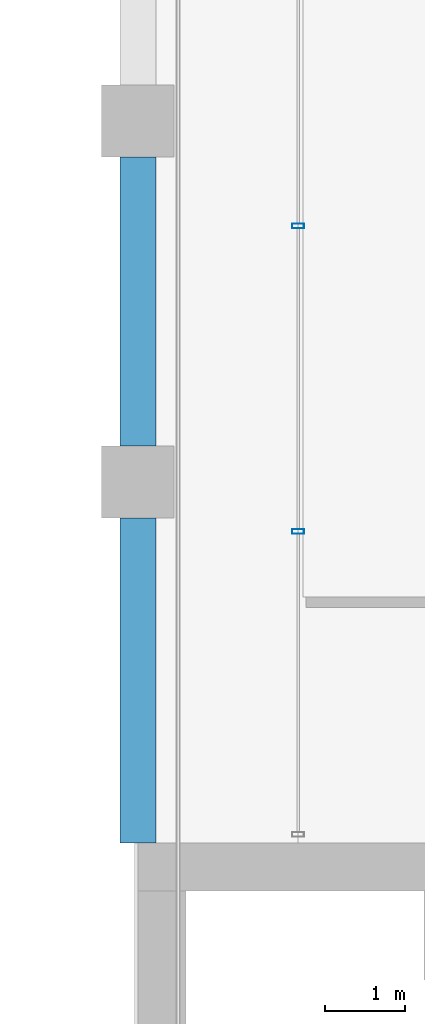
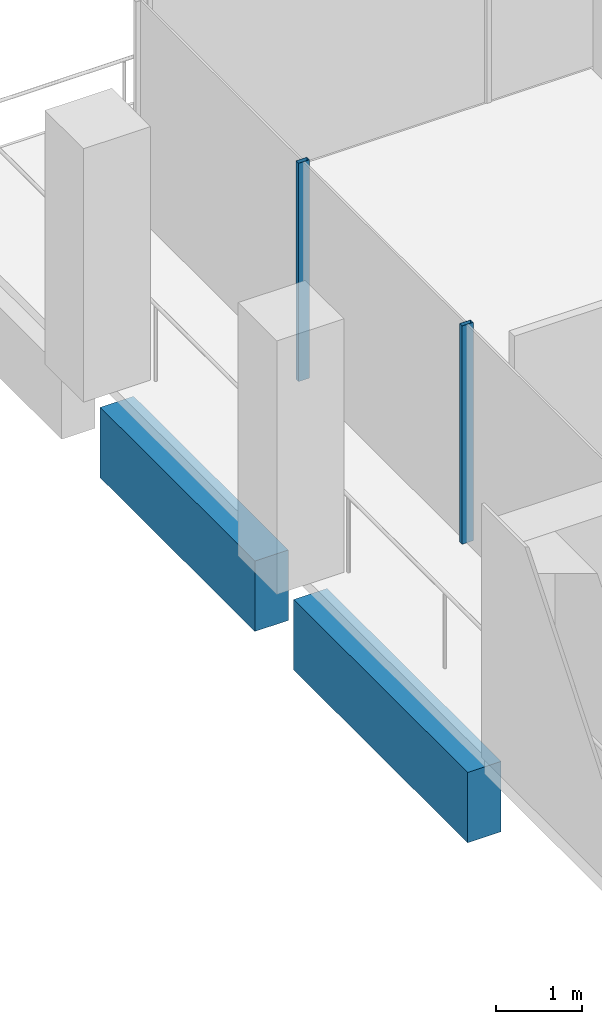
# One storey, part 20 of 40: 2 beams, 2 members, 1 element without a shape of its own.
"""IFC4 building model written with IfcOpenShell, lengths in metres."""

from ifc_helpers import new_model, si_unit, direction, frame, origin, origin_2d, place, context, subcontext, project, spatial, rectangle, hollow_rectangle, extrude, material, material_profile, profile_set, type_object, element, aggregate, save


model = new_model("IFC4")

# Units and contexts
model_context = context("Model", 3, precision=1e-05, world=origin(), true_north=direction((0.0, 1.0)))
body_context = subcontext(model_context, "Body", "Model", "MODEL_VIEW")
ifc_project = project(units=[si_unit("LENGTHUNIT", "METRE"), si_unit("AREAUNIT", "SQUARE_METRE"), si_unit("VOLUMEUNIT", "CUBIC_METRE"), si_unit("PLANEANGLEUNIT", "RADIAN"), si_unit("MASSUNIT", "GRAM", prefix="KILO")], contexts=[model_context])

# Site, building, storey
site_placement = place(None, origin())
site = spatial("IfcSite", under=ifc_project, at=site_placement, CompositionType="ELEMENT")
building_placement = place(site_placement, origin())
building = spatial("IfcBuilding", under=site, at=building_placement, Name="Altepetl Exchange Towers", CompositionType="ELEMENT")
storey_placement = place(building_placement, frame((0.0, 0.0, 176.199951171875)))
storey = spatial("IfcBuildingStorey", under=building, at=storey_placement, Name="L44", CompositionType="ELEMENT", Elevation=176.199951171875)

# Curtain wall, members
ifc_material_1 = material(Name="Aluminium 6063-T6 glazing", Category="aluminium")
curtain_wall_type = type_object("IfcCurtainWallType", Name="Loggia glazing system", PredefinedType="NOTDEFINED", material=ifc_material_1)
curtain_wall_placement = place(storey_placement, origin())
curtain_wall = element("IfcCurtainWall", 1, at=curtain_wall_placement, inside=storey, type_object=curtain_wall_type, Name="CW1 run", PredefinedType="NOTDEFINED")
ifc_material_2 = material(Name="Aluminium 6063-T6", Category="aluminium")
ifc_material_profile_1 = material_profile(ifc_material_2, hollow_rectangle(XDim=0.06005859375, YDim=0.14990234375, WallThickness=0.0029296875, at=origin_2d()), Name="Mullion 60x150 aluminium")
ifc_profile_set_1 = profile_set([ifc_material_profile_1], Name="Aluminium 6063-T6")
member_type = type_object("IfcMemberType", Name="Mullion 60x150 aluminium", PredefinedType="MULLION", material=ifc_profile_set_1)
member_1_placement = place(storey_placement, frame((42.5, 66.191650390625, 0.0), z_axis=(0.0, 0.0, 1.0), x_axis=(0.0, -1.0, 0.0)))
member_1 = element("IfcMember", 2, at=member_1_placement, type_object=member_type, Name="MU1 mullion", PredefinedType="MULLION", context=body_context, shape_type="SweptSolid", body=[
    extrude(hollow_rectangle(XDim=0.06005859375, YDim=0.14990234375, WallThickness=0.0029296875, at=origin_2d()), origin(), (0.0, 0.0, 1.0), 3.10009765625),
])
member_2_placement = place(storey_placement, frame((42.5, 62.38330078125, 0.0), z_axis=(0.0, 0.0, 1.0), x_axis=(0.0, -1.0, 0.0)))
member_2 = element("IfcMember", 3, at=member_2_placement, type_object=member_type, Name="MU1 mullion", PredefinedType="MULLION", context=body_context, shape_type="SweptSolid", body=[
    extrude(hollow_rectangle(XDim=0.06005859375, YDim=0.14990234375, WallThickness=0.0029296875, at=origin_2d()), origin(), (0.0, 0.0, 1.0), 3.10009765625),
])
aggregate(curtain_wall, [member_1, member_2])

# Beams
ifc_material_3 = material(Name="Concrete C50/60 precast with tezontle facing", Category="concrete")
ifc_material_profile_2 = material_profile(ifc_material_3, rectangle(XDim=0.449951171875, YDim=1.0, at=origin_2d()), Name="450 x 1000")
ifc_profile_set_2 = profile_set([ifc_material_profile_2], Name="Concrete C50/60 precast with tezontle facing")
beam_type = type_object("IfcBeamType", Name="Spandrel beam 450x1000 tezontle", PredefinedType="SPANDREL", material=ifc_profile_set_2)
beam_1_placement = place(storey_placement, frame((40.5, 67.050048828125, -0.64990234375), z_axis=(0.0, -1.0, 0.0), x_axis=(1.0, 0.0, 0.0)))
element("IfcBeam", 4, at=beam_1_placement, inside=storey, type_object=beam_type, Name="sp:A:L44:031", PredefinedType="SPANDREL", context=body_context, shape_type="SweptSolid", body=[
    extrude(rectangle(XDim=0.449951171875, YDim=1.0, at=origin_2d()), origin(), (0.0, 0.0, 1.0), 3.60009765625),
])
beam_2_placement = place(storey_placement, frame((40.5, 62.550048828125, -0.64990234375), z_axis=(0.0, -1.0, 0.0), x_axis=(1.0, 0.0, 0.0)))
element("IfcBeam", 5, at=beam_2_placement, inside=storey, type_object=beam_type, Name="sp:A:L44:032", PredefinedType="SPANDREL", context=body_context, shape_type="SweptSolid", body=[
    extrude(rectangle(XDim=0.449951171875, YDim=1.0, at=origin_2d()), origin(), (0.0, 0.0, 1.0), 4.050048828125),
])

save(model, "model.ifc")
